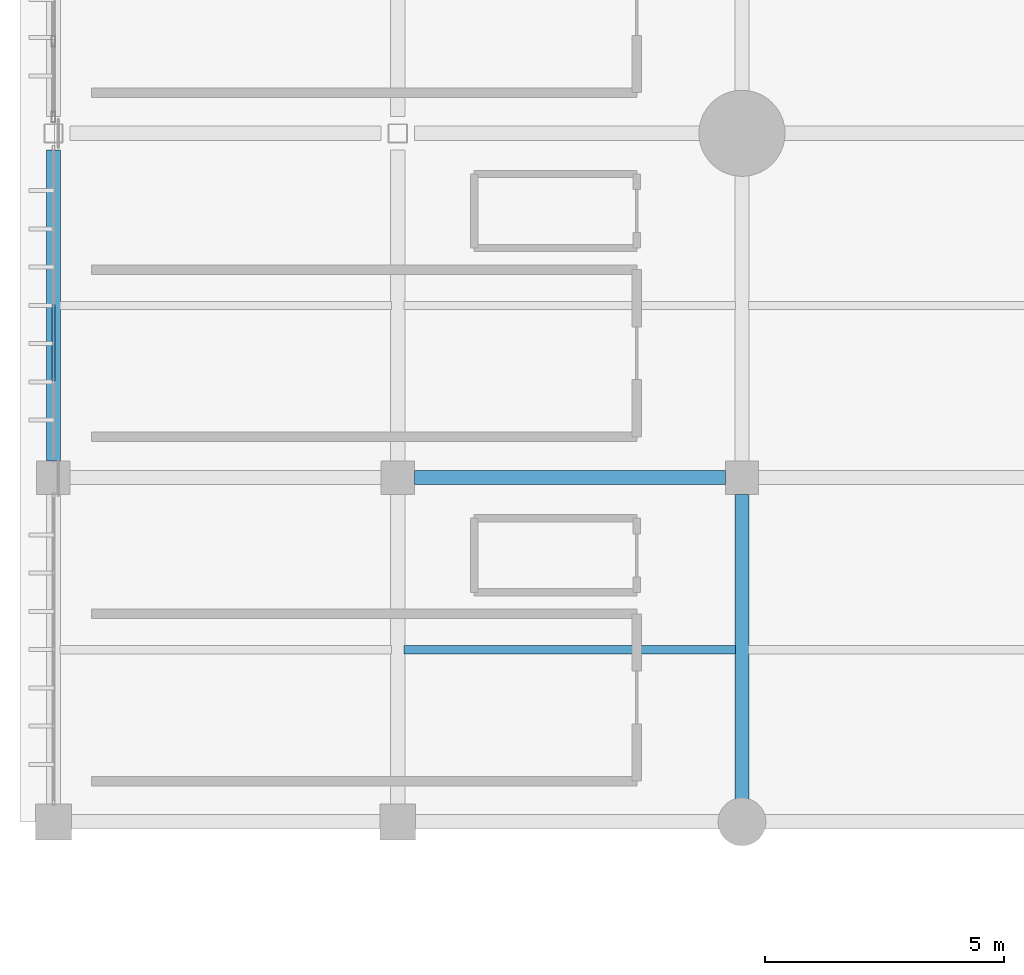
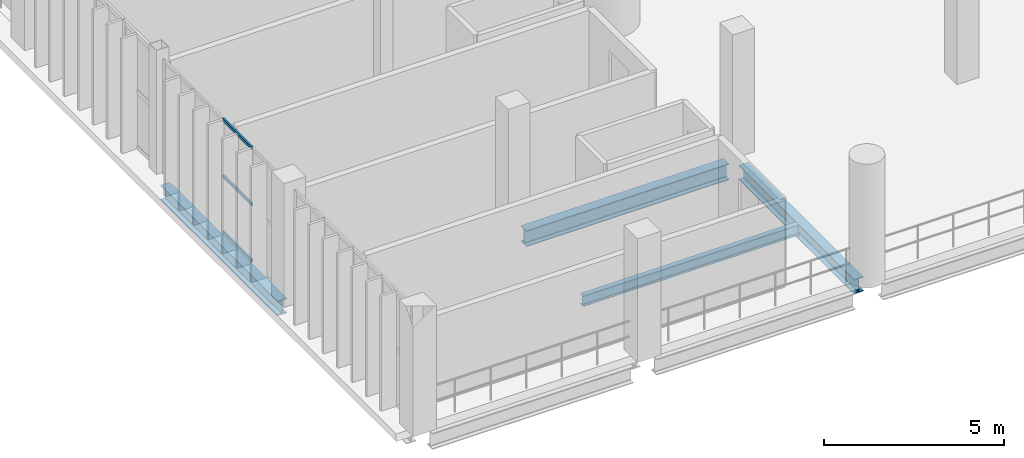
# One storey, part 21 of 130: 4 beams, 3 members, 1 element without a shape of its own.
"""IFC4 building model written with IfcOpenShell, lengths in metres."""

from ifc_helpers import new_model, si_unit, direction, frame, origin, origin_2d, place, context, subcontext, project, spatial, hollow_rectangle, i_section, extrude, material, material_profile, profile_set, type_object, element, aggregate, save


model = new_model("IFC4")

# Units and contexts
model_context = context("Model", 3, precision=1e-05, world=origin(), true_north=direction((0.0, 1.0)))
body_context = subcontext(model_context, "Body", "Model", "MODEL_VIEW")
ifc_project = project(units=[si_unit("LENGTHUNIT", "METRE"), si_unit("AREAUNIT", "SQUARE_METRE"), si_unit("VOLUMEUNIT", "CUBIC_METRE"), si_unit("PLANEANGLEUNIT", "RADIAN"), si_unit("MASSUNIT", "GRAM", prefix="KILO")], contexts=[model_context])

# Site, building, storey
site_placement = place(None, origin())
site = spatial("IfcSite", under=ifc_project, at=site_placement, CompositionType="ELEMENT")
building_placement = place(site_placement, origin())
building = spatial("IfcBuilding", under=site, at=building_placement, Name="Qandorah Velis Arena", CompositionType="ELEMENT")
storey_placement = place(building_placement, frame((0.0, 0.0, 9.60009765625)))
storey = spatial("IfcBuildingStorey", under=building, at=storey_placement, Name="L02", CompositionType="ELEMENT", Elevation=9.60009765625)

# Curtain wall, members
ifc_material_1 = material(Name="Solar-control low-E double glazing", Category="glass")
curtain_wall_type = type_object("IfcCurtainWallType", Name="ARC-CW-SYS12", PredefinedType="USERDEFINED", material=ifc_material_1)
curtain_wall_placement = place(storey_placement, origin())
curtain_wall = element("IfcCurtainWall", 1, at=curtain_wall_placement, inside=storey, type_object=curtain_wall_type, Name="Unitised curtain wall L02-012", ObjectType="UNITISED CURTAIN WALL", PredefinedType="USERDEFINED")
ifc_material_2 = material(Name="Champagne-bronze anodized aluminium 6063-T6", Category="aluminium")
ifc_material_profile_1 = material_profile(ifc_material_2, hollow_rectangle(XDim=0.054931640625, YDim=0.10009765625, WallThickness=0.0029296875, at=origin_2d()), Name="ALU TRANSOM 55x100")
ifc_profile_set_1 = profile_set([ifc_material_profile_1], Name="Champagne-bronze anodized aluminium 6063-T6")
member_type = type_object("IfcMemberType", Name="ARC-CWT-100", PredefinedType="USERDEFINED", material=ifc_profile_set_1)
member_1_placement = place(storey_placement, frame((0.0, 23.621826171875, 0.02734375), z_axis=(0.0, 1.0, 0.0), x_axis=(-1.0, 0.0, 0.0)))
member_1 = element("IfcMember", 2, at=member_1_placement, type_object=member_type, Name="CW12 transom 2.1", ObjectType="TRANSOM", PredefinedType="USERDEFINED", context=body_context, shape_type="SweptSolid", body=[
    extrude(hollow_rectangle(XDim=0.054931640625, YDim=0.10009765625, WallThickness=0.0029296875, at=origin_2d()), origin(), (0.0, 0.0, 1.0), 1.60009765625),
])
member_2_placement = place(storey_placement, frame((0.0, 23.621826171875, 1.93994140625), z_axis=(0.0, 1.0, 0.0), x_axis=(-1.0, 0.0, 0.0)))
member_2 = element("IfcMember", 3, at=member_2_placement, type_object=member_type, Name="CW12 transom 2.2", ObjectType="TRANSOM", PredefinedType="USERDEFINED", context=body_context, shape_type="SweptSolid", body=[
    extrude(hollow_rectangle(XDim=0.054931640625, YDim=0.10009765625, WallThickness=0.0029296875, at=origin_2d()), origin(), (0.0, 0.0, 1.0), 1.60009765625),
])
member_3_placement = place(storey_placement, frame((0.0, 23.621826171875, 3.852294921875), z_axis=(0.0, 1.0, 0.0), x_axis=(-1.0, 0.0, 0.0)))
member_3 = element("IfcMember", 4, at=member_3_placement, type_object=member_type, Name="CW12 transom 2.3", ObjectType="TRANSOM", PredefinedType="USERDEFINED", context=body_context, shape_type="SweptSolid", body=[
    extrude(hollow_rectangle(XDim=0.054931640625, YDim=0.10009765625, WallThickness=0.0029296875, at=origin_2d()), origin(), (0.0, 0.0, 1.0), 1.60009765625),
])
aggregate(curtain_wall, [member_1, member_2, member_3])

# Beams
ifc_material_3 = material(Name="Steel S355", Category="steel")
ifc_material_profile_2 = material_profile(ifc_material_3, i_section(OverallWidth=0.300048828125, OverallDepth=0.5, WebThickness=0.014404296875, FlangeThickness=0.028076171875, FilletRadius=0.027099609375, at=origin_2d()), Name="HEB 500")
ifc_profile_set_2 = profile_set([ifc_material_profile_2], Name="Steel S355")
beam_type_1 = type_object("IfcBeamType", Name="STR-BM-HEB500", PredefinedType="BEAM", material=ifc_profile_set_2)
beam_1_placement = place(storey_placement, frame((0.0, 21.949951171875, -0.530029296875), z_axis=(0.0, 1.0, 0.0), x_axis=(-1.0, 0.0, 0.0)))
element("IfcBeam", 5, at=beam_1_placement, inside=storey, type_object=beam_type_1, Name="Primary floor girder L02 Y-185", PredefinedType="BEAM", context=body_context, shape_type="SweptSolid", body=[
    extrude(i_section(OverallWidth=0.300048828125, OverallDepth=0.5, WebThickness=0.014404296875, FlangeThickness=0.028076171875, FilletRadius=0.027099609375, at=origin_2d()), origin(), (0.0, 0.0, 1.0), 6.5),
])
beam_2_placement = place(storey_placement, frame((14.39990234375, 14.85009765625, -0.530029296875), z_axis=(0.0, 1.0, 0.0), x_axis=(-1.0, 0.0, 0.0)))
element("IfcBeam", 6, at=beam_2_placement, inside=storey, type_object=beam_type_1, Name="Primary floor girder L02 Y-212", PredefinedType="BEAM", context=body_context, shape_type="SweptSolid", body=[
    extrude(i_section(OverallWidth=0.300048828125, OverallDepth=0.5, WebThickness=0.014404296875, FlangeThickness=0.028076171875, FilletRadius=0.027099609375, at=origin_2d()), origin(), (0.0, 0.0, 1.0), 6.39990234375),
])
ifc_material_profile_3 = material_profile(ifc_material_3, i_section(OverallWidth=0.300048828125, OverallDepth=0.550048828125, WebThickness=0.014892578125, FlangeThickness=0.029052734375, FilletRadius=0.027099609375, at=origin_2d()), Name="HEB 550")
ifc_profile_set_3 = profile_set([ifc_material_profile_3], Name="Steel S355")
beam_type_2 = type_object("IfcBeamType", Name="STR-BM-HEB550", PredefinedType="BEAM", material=ifc_profile_set_3)
beam_3_placement = place(storey_placement, frame((7.550048828125, 21.60009765625, -0.55517578125), z_axis=(1.0, 0.0, 0.0), x_axis=(0.0, 1.0, 0.0)))
element("IfcBeam", 7, at=beam_3_placement, inside=storey, type_object=beam_type_2, Name="Primary floor girder L02 X-042", PredefinedType="BEAM", context=body_context, shape_type="SweptSolid", body=[
    extrude(i_section(OverallWidth=0.300048828125, OverallDepth=0.550048828125, WebThickness=0.014892578125, FlangeThickness=0.029052734375, FilletRadius=0.027099609375, at=origin_2d()), origin(), (0.0, 0.0, 1.0), 6.5),
])
ifc_material_profile_4 = material_profile(ifc_material_3, i_section(OverallWidth=0.169921875, OverallDepth=0.360107421875, WebThickness=0.008056640625, FlangeThickness=0.0126953125, FilletRadius=0.01806640625, at=origin_2d()), Name="IPE 360")
ifc_profile_set_4 = profile_set([ifc_material_profile_4], Name="Steel S355")
beam_type_3 = type_object("IfcBeamType", Name="STR-JST-IPE360", PredefinedType="JOIST", material=ifc_profile_set_4)
beam_4_placement = place(storey_placement, frame((7.3349609375, 18.0, -0.460205078125), z_axis=(1.0, 0.0, 0.0), x_axis=(0.0, 1.0, 0.0)))
element("IfcBeam", 8, at=beam_4_placement, inside=storey, type_object=beam_type_3, Name="Secondary floor joist L02-011", PredefinedType="JOIST", context=body_context, shape_type="SweptSolid", body=[
    extrude(i_section(OverallWidth=0.169921875, OverallDepth=0.360107421875, WebThickness=0.008056640625, FlangeThickness=0.0126953125, FilletRadius=0.01806640625, at=origin_2d()), origin(), (0.0, 0.0, 1.0), 6.929931640625),
])

save(model, "model.ifc")
